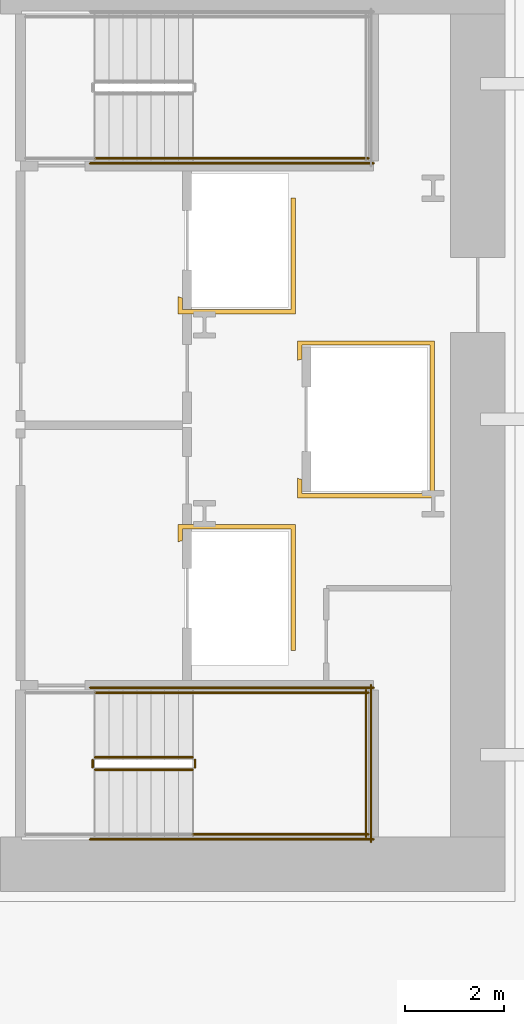
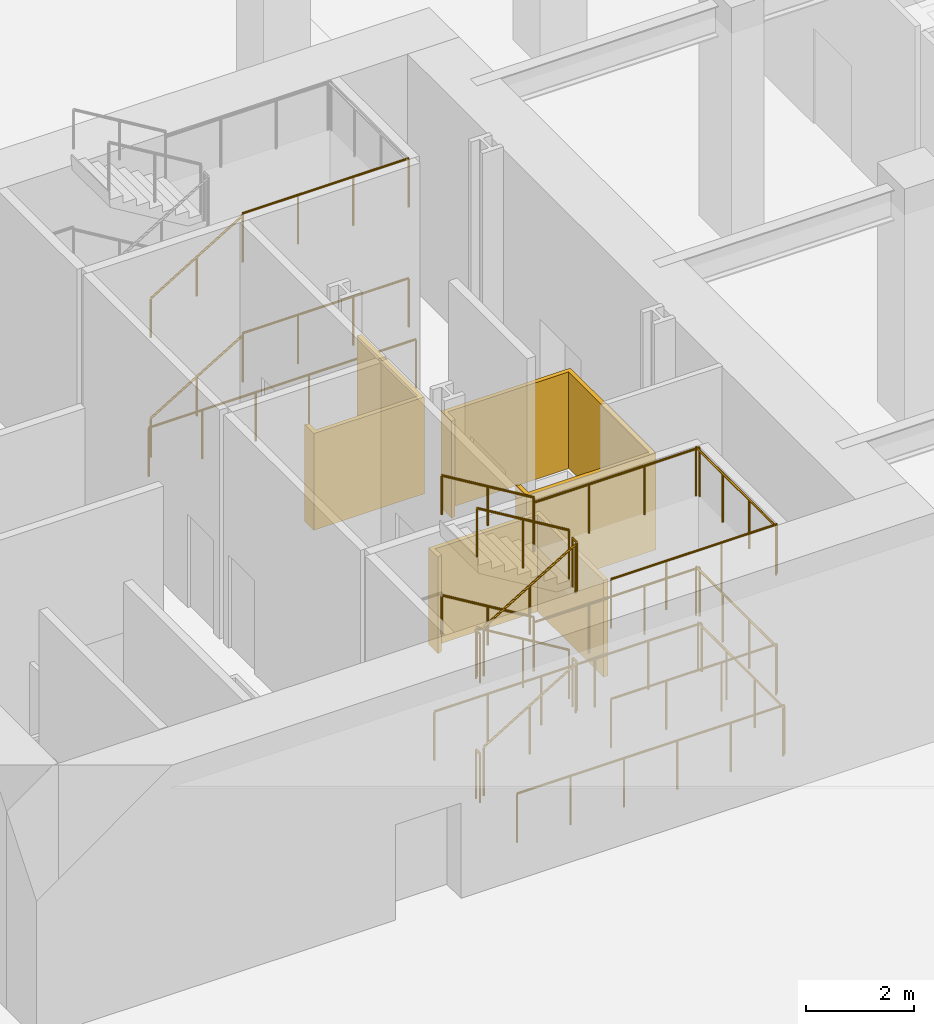
# One storey, part 13 of 18: 24 railings, 3 coverings.
"""IFC4 building model written with IfcOpenShell, lengths in metres."""

from ifc_helpers import new_model, si_unit, direction, frame, origin, origin_2d, place, context, subcontext, project, spatial, polyline, circle, outline, extrude, material, layer, layer_set, type_object, element, save


model = new_model("IFC4")

# Units and contexts
model_context = context("Model", 3, precision=1e-05, world=origin(), true_north=direction((0.0, 1.0)))
body_context = subcontext(model_context, "Body", "Model", "MODEL_VIEW")
ifc_project = project(units=[si_unit("LENGTHUNIT", "METRE"), si_unit("AREAUNIT", "SQUARE_METRE"), si_unit("VOLUMEUNIT", "CUBIC_METRE"), si_unit("PLANEANGLEUNIT", "RADIAN"), si_unit("MASSUNIT", "GRAM", prefix="KILO")], contexts=[model_context])

# Site, building, storey
site_placement = place(None, origin())
site = spatial("IfcSite", under=ifc_project, at=site_placement, CompositionType="ELEMENT")
building_placement = place(site_placement, origin())
building = spatial("IfcBuilding", under=site, at=building_placement, Name="Valkerne Bourse Tower", CompositionType="ELEMENT")
storey_placement = place(building_placement, origin())
storey = spatial("IfcBuildingStorey", under=building, at=storey_placement, Name="L00", CompositionType="ELEMENT", Elevation=0.0)

# Coverings
ifc_material_1 = material(Name="Gypsum Shaftwall Liner Board", Category="gypsum")
ifc_layer = layer(ifc_material_1, 0.080078125)
ifc_layer_set = layer_set([ifc_layer], Name="Gypsum Shaftwall Liner Board")
covering_type = type_object("IfcCoveringType", Name="COV-SHF-CLAD", PredefinedType="CLADDING", material=ifc_layer_set)
covering_1_placement = place(storey_placement, origin())
element("IfcCovering", 1, at=covering_1_placement, inside=storey, type_object=covering_type, Name="L00 Hoistway & Riser Shaftwall Liner 07", PredefinedType="CLADDING", context=body_context, shape_type="SweptSolid", body=[
    extrude(outline(polyline([(52.179931640625, 22.35009765625), (52.090087890625, 22.35009765625), (52.090087890625, 24.7900390625), (49.909912109375, 24.7900390625), (49.909912109375, 24.560791015625), (49.869384765625, 24.550537109375), (49.827880859375, 24.53564453125), (49.820068359375, 24.531982421875), (49.820068359375, 24.8798828125), (52.179931640625, 24.8798828125), (52.179931640625, 22.35009765625)])), origin(), (0.0, 0.0, 1.0), 2.179931640625),
])
covering_2_placement = place(storey_placement, origin())
element("IfcCovering", 2, at=covering_2_placement, inside=storey, type_object=covering_type, Name="L00 Hoistway & Riser Shaftwall Liner 08", PredefinedType="CLADDING", context=body_context, shape_type="SweptSolid", body=[
    extrude(outline(polyline([(54.97998046875, 25.419921875), (52.219970703125, 25.419921875), (52.219970703125, 25.81787109375), (52.227783203125, 25.814208984375), (52.269287109375, 25.79931640625), (52.31005859375, 25.789306640625), (52.31005859375, 25.510009765625), (54.889892578125, 25.510009765625), (54.889892578125, 28.489990234375), (52.31005859375, 28.489990234375), (52.31005859375, 28.210693359375), (52.269287109375, 28.20068359375), (52.227783203125, 28.185791015625), (52.219970703125, 28.18212890625), (52.219970703125, 28.580078125), (54.97998046875, 28.580078125), (54.97998046875, 25.419921875)])), origin(), (0.0, 0.0, 1.0), 2.179931640625),
])
covering_3_placement = place(storey_placement, origin())
element("IfcCovering", 3, at=covering_3_placement, inside=storey, type_object=covering_type, Name="L00 Hoistway & Riser Shaftwall Liner 10", PredefinedType="CLADDING", context=body_context, shape_type="SweptSolid", body=[
    extrude(outline(polyline([(49.820068359375, 29.1201171875), (49.820068359375, 29.468017578125), (49.827880859375, 29.46435546875), (49.869384765625, 29.449462890625), (49.909912109375, 29.439208984375), (49.909912109375, 29.2099609375), (52.090087890625, 29.2099609375), (52.090087890625, 31.449951171875), (52.179931640625, 31.449951171875), (52.179931640625, 29.1201171875), (49.820068359375, 29.1201171875)])), origin(), (0.0, 0.0, 1.0), 2.179931640625),
])

# Railings
ifc_material_2 = material(Name="Galvanised Painted Steel", Category="steel")
railing_type_1 = type_object("IfcRailingType", Name="RLG-ST-GUARD-1120", PredefinedType="GUARDRAIL", material=ifc_material_2)
railing_1_placement = place(storey_placement, frame((48.14990234375, 19.949951171875, 0.168701171875)))
element("IfcRailing", 4, at=railing_1_placement, inside=storey, type_object=railing_type_1, Name="L00 ST-1 stair guard 1", PredefinedType="GUARDRAIL", context=body_context, shape_type="SweptSolid", body=[
    extrude(circle(Radius=0.02392578125, at=origin_2d()), frame((0.0, 0.0, 1.09619140625), z_axis=(0.856474724393, 0.0, 0.516188963923), x_axis=(0.0, 1.0, 0.0)), (0.0, 0.0, 1.0), 2.28857421875),
    extrude(circle(Radius=0.02099609375, at=origin_2d()), origin(), (0.0, 0.0, 1.0), 1.072021484375),
    extrude(circle(Radius=0.02099609375, at=origin_2d()), frame((0.97998046875, 0.0, 0.5908203125)), (0.0, 0.0, 1.0), 1.072021484375),
    extrude(circle(Radius=0.02099609375, at=origin_2d()), frame((1.960205078125, 0.0, 1.181396484375)), (0.0, 0.0, 1.0), 1.072021484375),
])
railing_2_placement = place(storey_placement, frame((50.159912109375, 20.0, 1.35009765625)))
element("IfcRailing", 5, at=railing_2_placement, inside=storey, type_object=railing_type_1, Name="L00 ST-1 stair guard 2", PredefinedType="GUARDRAIL", context=body_context, shape_type="SweptSolid", body=[
    extrude(circle(Radius=0.02392578125, at=origin_2d()), frame((0.0, 0.0, 1.09619140625), z_axis=(0.0, 1.0, 0.0), x_axis=(-1.0, 0.0, 0.0)), (0.0, 0.0, 1.0), 0.14990234375),
    extrude(circle(Radius=0.02099609375, at=origin_2d()), origin(), (0.0, 0.0, 1.0), 1.072021484375),
    extrude(circle(Radius=0.02099609375, at=origin_2d()), frame((0.0, 0.14990234375, 0.0)), (0.0, 0.0, 1.0), 1.072021484375),
])
for number, where, name in (
    (6, (50.110107421875, 18.64990234375, 1.35009765625), "L00 ST-1 stair guard 3"),
    (7, (50.110107421875, 21.5, 1.35009765625), "L00 ST-1 stair guard 4"),
):
    element("IfcRailing", number, at=place(storey_placement, frame(where)), inside=storey, type_object=railing_type_1, Name=name, PredefinedType="GUARDRAIL", context=body_context, shape_type="SweptSolid", body=[
        extrude(circle(Radius=0.02392578125, at=origin_2d()), frame((0.0, 0.0, 1.09619140625), z_axis=(1.0, 0.0, 0.0), x_axis=(0.0, 1.0, 0.0)), (0.0, 0.0, 1.0), 3.539794921875),
        extrude(circle(Radius=0.02099609375, at=origin_2d()), origin(), (0.0, 0.0, 1.0), 1.072021484375),
        extrude(circle(Radius=0.02099609375, at=origin_2d()), frame((1.179931640625, 0.0, 0.0)), (0.0, 0.0, 1.0), 1.072021484375),
        extrude(circle(Radius=0.02099609375, at=origin_2d()), frame((2.35986328125, 0.0, 0.0)), (0.0, 0.0, 1.0), 1.072021484375),
        extrude(circle(Radius=0.02099609375, at=origin_2d()), frame((3.539794921875, 0.0, 0.0)), (0.0, 0.0, 1.0), 1.072021484375),
    ])
railing_3_placement = place(storey_placement, frame((53.60009765625, 18.60009765625, 1.35009765625)))
element("IfcRailing", 8, at=railing_3_placement, inside=storey, type_object=railing_type_1, Name="L00 ST-1 stair guard 5", PredefinedType="GUARDRAIL", context=body_context, shape_type="SweptSolid", body=[
    extrude(circle(Radius=0.02392578125, at=origin_2d()), frame((0.0, 0.0, 1.09619140625), z_axis=(0.0, 1.0, 0.0), x_axis=(-1.0, 0.0, 0.0)), (0.0, 0.0, 1.0), 2.949951171875),
    extrude(circle(Radius=0.02099609375, at=origin_2d()), origin(), (0.0, 0.0, 1.0), 1.072021484375),
    extrude(circle(Radius=0.02099609375, at=origin_2d()), frame((0.0, 0.9833984375, 0.0)), (0.0, 0.0, 1.0), 1.072021484375),
    extrude(circle(Radius=0.02099609375, at=origin_2d()), frame((0.0, 1.966552734375, 0.0)), (0.0, 0.0, 1.0), 1.072021484375),
    extrude(circle(Radius=0.02099609375, at=origin_2d()), frame((0.0, 2.949951171875, 0.0)), (0.0, 0.0, 1.0), 1.072021484375),
])
railing_4_placement = place(storey_placement, frame((50.110107421875, 20.199951171875, 1.518798828125)))
element("IfcRailing", 9, at=railing_4_placement, inside=storey, type_object=railing_type_1, Name="L00 ST-1 stair guard 6", PredefinedType="GUARDRAIL", context=body_context, shape_type="SweptSolid", body=[
    extrude(circle(Radius=0.02392578125, at=origin_2d()), frame((0.0, 0.0, 1.09619140625), z_axis=(-0.856521883693, 0.0, 0.516110707847), x_axis=(0.0, -1.0, 0.0)), (0.0, 0.0, 1.0), 2.28857421875),
    extrude(circle(Radius=0.02099609375, at=origin_2d()), origin(), (0.0, 0.0, 1.0), 1.072021484375),
    extrude(circle(Radius=0.02099609375, at=origin_2d()), frame((-0.97998046875, 0.0, 0.590576171875)), (0.0, 0.0, 1.0), 1.072021484375),
    extrude(circle(Radius=0.02099609375, at=origin_2d()), frame((-1.960205078125, 0.0, 1.18115234375)), (0.0, 0.0, 1.0), 1.072021484375),
])
railing_5_placement = place(storey_placement, frame((48.10009765625, 20.0, 2.699951171875)))
element("IfcRailing", 10, at=railing_5_placement, inside=storey, type_object=railing_type_1, Name="L00 ST-1 stair guard 7", PredefinedType="GUARDRAIL", context=body_context, shape_type="SweptSolid", body=[
    extrude(circle(Radius=0.02392578125, at=origin_2d()), frame((0.0, 0.0, 1.09619140625), z_axis=(0.0, 1.0, 0.0), x_axis=(-1.0, 0.0, 0.0)), (0.0, 0.0, 1.0), 0.14990234375),
    extrude(circle(Radius=0.02099609375, at=origin_2d()), origin(), (0.0, 0.0, 1.0), 1.072021484375),
    extrude(circle(Radius=0.02099609375, at=origin_2d()), frame((0.0, 0.14990234375, 0.0)), (0.0, 0.0, 1.0), 1.072021484375),
])
railing_6_placement = place(storey_placement, frame((48.14990234375, 19.949951171875, 2.86865234375)))
element("IfcRailing", 11, at=railing_6_placement, inside=storey, type_object=railing_type_1, Name="L00 ST-1 stair guard 10", PredefinedType="GUARDRAIL", context=body_context, shape_type="SweptSolid", body=[
    extrude(circle(Radius=0.02392578125, at=origin_2d()), frame((0.0, 0.0, 1.09619140625), z_axis=(0.856474724393, 0.0, 0.516188963923), x_axis=(0.0, 1.0, 0.0)), (0.0, 0.0, 1.0), 2.28857421875),
    extrude(circle(Radius=0.02099609375, at=origin_2d()), origin(), (0.0, 0.0, 1.0), 1.072021484375),
    extrude(circle(Radius=0.02099609375, at=origin_2d()), frame((0.97998046875, 0.0, 0.5908203125)), (0.0, 0.0, 1.0), 1.072021484375),
    extrude(circle(Radius=0.02099609375, at=origin_2d()), frame((1.960205078125, 0.0, 1.181396484375)), (0.0, 0.0, 1.0), 1.072021484375),
])
railing_7_placement = place(storey_placement, frame((50.159912109375, 20.0, 4.050048828125)))
element("IfcRailing", 12, at=railing_7_placement, inside=storey, type_object=railing_type_1, Name="L00 ST-1 stair guard 11", PredefinedType="GUARDRAIL", context=body_context, shape_type="SweptSolid", body=[
    extrude(circle(Radius=0.02392578125, at=origin_2d()), frame((0.0, 0.0, 1.09619140625), z_axis=(0.0, 1.0, 0.0), x_axis=(-1.0, 0.0, 0.0)), (0.0, 0.0, 1.0), 0.14990234375),
    extrude(circle(Radius=0.02099609375, at=origin_2d()), origin(), (0.0, 0.0, 1.0), 1.072021484375),
    extrude(circle(Radius=0.02099609375, at=origin_2d()), frame((0.0, 0.14990234375, 0.0)), (0.0, 0.0, 1.0), 1.072021484375),
])
for number, where, name in (
    (13, (50.110107421875, 18.64990234375, 4.050048828125), "L00 ST-1 stair guard 12"),
    (14, (50.110107421875, 21.5, 4.050048828125), "L00 ST-1 stair guard 13"),
):
    element("IfcRailing", number, at=place(storey_placement, frame(where)), inside=storey, type_object=railing_type_1, Name=name, PredefinedType="GUARDRAIL", context=body_context, shape_type="SweptSolid", body=[
        extrude(circle(Radius=0.02392578125, at=origin_2d()), frame((0.0, 0.0, 1.09619140625), z_axis=(1.0, 0.0, 0.0), x_axis=(0.0, 1.0, 0.0)), (0.0, 0.0, 1.0), 3.539794921875),
        extrude(circle(Radius=0.02099609375, at=origin_2d()), origin(), (0.0, 0.0, 1.0), 1.072021484375),
        extrude(circle(Radius=0.02099609375, at=origin_2d()), frame((1.179931640625, 0.0, 0.0)), (0.0, 0.0, 1.0), 1.072021484375),
        extrude(circle(Radius=0.02099609375, at=origin_2d()), frame((2.35986328125, 0.0, 0.0)), (0.0, 0.0, 1.0), 1.072021484375),
        extrude(circle(Radius=0.02099609375, at=origin_2d()), frame((3.539794921875, 0.0, 0.0)), (0.0, 0.0, 1.0), 1.072021484375),
    ])
railing_8_placement = place(storey_placement, frame((53.60009765625, 18.60009765625, 4.050048828125)))
element("IfcRailing", 15, at=railing_8_placement, inside=storey, type_object=railing_type_1, Name="L00 ST-1 stair guard 14", PredefinedType="GUARDRAIL", context=body_context, shape_type="SweptSolid", body=[
    extrude(circle(Radius=0.02392578125, at=origin_2d()), frame((0.0, 0.0, 1.09619140625), z_axis=(0.0, 1.0, 0.0), x_axis=(-1.0, 0.0, 0.0)), (0.0, 0.0, 1.0), 2.949951171875),
    extrude(circle(Radius=0.02099609375, at=origin_2d()), origin(), (0.0, 0.0, 1.0), 1.072021484375),
    extrude(circle(Radius=0.02099609375, at=origin_2d()), frame((0.0, 0.9833984375, 0.0)), (0.0, 0.0, 1.0), 1.072021484375),
    extrude(circle(Radius=0.02099609375, at=origin_2d()), frame((0.0, 1.966552734375, 0.0)), (0.0, 0.0, 1.0), 1.072021484375),
    extrude(circle(Radius=0.02099609375, at=origin_2d()), frame((0.0, 2.949951171875, 0.0)), (0.0, 0.0, 1.0), 1.072021484375),
])
railing_9_placement = place(storey_placement, frame((50.110107421875, 20.199951171875, 4.21875)))
element("IfcRailing", 16, at=railing_9_placement, inside=storey, type_object=railing_type_1, Name="L00 ST-1 stair guard 15", PredefinedType="GUARDRAIL", context=body_context, shape_type="SweptSolid", body=[
    extrude(circle(Radius=0.02392578125, at=origin_2d()), frame((0.0, 0.0, 1.09619140625), z_axis=(-0.856521883693, 0.0, 0.516110707847), x_axis=(0.0, -1.0, 0.0)), (0.0, 0.0, 1.0), 2.28857421875),
    extrude(circle(Radius=0.02099609375, at=origin_2d()), origin(), (0.0, 0.0, 1.0), 1.072021484375),
    extrude(circle(Radius=0.02099609375, at=origin_2d()), frame((-0.97998046875, 0.0, 0.590576171875)), (0.0, 0.0, 1.0), 1.072021484375),
    extrude(circle(Radius=0.02099609375, at=origin_2d()), frame((-1.960205078125, 0.0, 1.18115234375)), (0.0, 0.0, 1.0), 1.072021484375),
])
railing_10_placement = place(storey_placement, frame((48.10009765625, 20.0, 0.0)))
element("IfcRailing", 17, at=railing_10_placement, inside=storey, type_object=railing_type_1, Name="L00 ST-1 stair guard 16", PredefinedType="GUARDRAIL", context=body_context, shape_type="SweptSolid", body=[
    extrude(circle(Radius=0.02392578125, at=origin_2d()), frame((0.0, 0.0, 1.09619140625), z_axis=(0.0, 1.0, 0.0), x_axis=(-1.0, 0.0, 0.0)), (0.0, 0.0, 1.0), 0.14990234375),
    extrude(circle(Radius=0.02099609375, at=origin_2d()), origin(), (0.0, 0.0, 1.0), 1.072021484375),
    extrude(circle(Radius=0.02099609375, at=origin_2d()), frame((0.0, 0.14990234375, 0.0)), (0.0, 0.0, 1.0), 1.072021484375),
])
for number, where, name in (
    (18, (48.050048828125, 18.550048828125, 0.0), "L00 ST-1 stair guard 19"),
    (19, (48.050048828125, 21.60009765625, 0.0), "L00 ST-1 stair guard 20"),
):
    element("IfcRailing", number, at=place(storey_placement, frame(where)), inside=storey, type_object=railing_type_1, Name=name, PredefinedType="GUARDRAIL", context=body_context, shape_type="SweptSolid", body=[
        extrude(circle(Radius=0.02392578125, at=origin_2d()), frame((0.0, 0.0, 1.09619140625), z_axis=(1.0, 0.0, 0.0), x_axis=(0.0, 1.0, 0.0)), (0.0, 0.0, 1.0), 5.699951171875),
        extrude(circle(Radius=0.02099609375, at=origin_2d()), origin(), (0.0, 0.0, 1.0), 1.072021484375),
        extrude(circle(Radius=0.02099609375, at=origin_2d()), frame((1.139892578125, 0.0, 0.0)), (0.0, 0.0, 1.0), 1.072021484375),
        extrude(circle(Radius=0.02099609375, at=origin_2d()), frame((2.280029296875, 0.0, 0.0)), (0.0, 0.0, 1.0), 1.072021484375),
        extrude(circle(Radius=0.02099609375, at=origin_2d()), frame((3.419921875, 0.0, 0.0)), (0.0, 0.0, 1.0), 1.072021484375),
        extrude(circle(Radius=0.02099609375, at=origin_2d()), frame((4.56005859375, 0.0, 0.0)), (0.0, 0.0, 1.0), 1.072021484375),
        extrude(circle(Radius=0.02099609375, at=origin_2d()), frame((5.699951171875, 0.0, 0.0)), (0.0, 0.0, 1.0), 1.072021484375),
    ])
railing_11_placement = place(storey_placement, frame((53.699951171875, 18.5, 0.0)))
element("IfcRailing", 20, at=railing_11_placement, inside=storey, type_object=railing_type_1, Name="L00 ST-1 stair guard 21", PredefinedType="GUARDRAIL", context=body_context, shape_type="SweptSolid", body=[
    extrude(circle(Radius=0.02392578125, at=origin_2d()), frame((0.0, 0.0, 1.09619140625), z_axis=(0.0, 1.0, 0.0), x_axis=(-1.0, 0.0, 0.0)), (0.0, 0.0, 1.0), 3.14990234375),
    extrude(circle(Radius=0.02099609375, at=origin_2d()), origin(), (0.0, 0.0, 1.0), 1.072021484375),
    extrude(circle(Radius=0.02099609375, at=origin_2d()), frame((0.0, 1.050048828125, 0.0)), (0.0, 0.0, 1.0), 1.072021484375),
    extrude(circle(Radius=0.02099609375, at=origin_2d()), frame((0.0, 2.099853515625, 0.0)), (0.0, 0.0, 1.0), 1.072021484375),
    extrude(circle(Radius=0.02099609375, at=origin_2d()), frame((0.0, 3.14990234375, 0.0)), (0.0, 0.0, 1.0), 1.072021484375),
])
for number, where, name in (
    (21, (50.110107421875, 32.25, 1.35009765625), "L00 ST-2 stair guard 3"),
    (22, (50.110107421875, 32.25, 4.050048828125), "L00 ST-2 stair guard 12"),
):
    element("IfcRailing", number, at=place(storey_placement, frame(where)), inside=storey, type_object=railing_type_1, Name=name, PredefinedType="GUARDRAIL", context=body_context, shape_type="SweptSolid", body=[
        extrude(circle(Radius=0.02392578125, at=origin_2d()), frame((0.0, 0.0, 1.09619140625), z_axis=(1.0, 0.0, 0.0), x_axis=(0.0, 1.0, 0.0)), (0.0, 0.0, 1.0), 3.539794921875),
        extrude(circle(Radius=0.02099609375, at=origin_2d()), origin(), (0.0, 0.0, 1.0), 1.072021484375),
        extrude(circle(Radius=0.02099609375, at=origin_2d()), frame((1.179931640625, 0.0, 0.0)), (0.0, 0.0, 1.0), 1.072021484375),
        extrude(circle(Radius=0.02099609375, at=origin_2d()), frame((2.35986328125, 0.0, 0.0)), (0.0, 0.0, 1.0), 1.072021484375),
        extrude(circle(Radius=0.02099609375, at=origin_2d()), frame((3.539794921875, 0.0, 0.0)), (0.0, 0.0, 1.0), 1.072021484375),
    ])
railing_12_placement = place(storey_placement, frame((48.050048828125, 32.14990234375, 0.0)))
element("IfcRailing", 23, at=railing_12_placement, inside=storey, type_object=railing_type_1, Name="L00 ST-2 stair guard 19", PredefinedType="GUARDRAIL", context=body_context, shape_type="SweptSolid", body=[
    extrude(circle(Radius=0.02392578125, at=origin_2d()), frame((0.0, 0.0, 1.09619140625), z_axis=(1.0, 0.0, 0.0), x_axis=(0.0, 1.0, 0.0)), (0.0, 0.0, 1.0), 5.699951171875),
    extrude(circle(Radius=0.02099609375, at=origin_2d()), origin(), (0.0, 0.0, 1.0), 1.072021484375),
    extrude(circle(Radius=0.02099609375, at=origin_2d()), frame((1.139892578125, 0.0, 0.0)), (0.0, 0.0, 1.0), 1.072021484375),
    extrude(circle(Radius=0.02099609375, at=origin_2d()), frame((2.280029296875, 0.0, 0.0)), (0.0, 0.0, 1.0), 1.072021484375),
    extrude(circle(Radius=0.02099609375, at=origin_2d()), frame((3.419921875, 0.0, 0.0)), (0.0, 0.0, 1.0), 1.072021484375),
    extrude(circle(Radius=0.02099609375, at=origin_2d()), frame((4.56005859375, 0.0, 0.0)), (0.0, 0.0, 1.0), 1.072021484375),
    extrude(circle(Radius=0.02099609375, at=origin_2d()), frame((5.699951171875, 0.0, 0.0)), (0.0, 0.0, 1.0), 1.072021484375),
])
ifc_material_3 = material(Name="Stainless Steel AISI 316", Category="steel")
railing_type_2 = type_object("IfcRailingType", Name="RLG-ST-HANDRAIL-900", PredefinedType="HANDRAIL", material=ifc_material_3)
railing_13_placement = place(storey_placement, frame((50.110107421875, 21.5, 1.6875)))
element("IfcRailing", 24, at=railing_13_placement, inside=storey, type_object=railing_type_2, Name="L00 ST-1 stair handrail 2", PredefinedType="HANDRAIL", context=body_context, shape_type="SweptSolid", body=[
    extrude(circle(Radius=0.02392578125, at=origin_2d()), frame((0.0, 0.0, 0.8759765625), z_axis=(-0.856521883693, 0.0, 0.516110707847), x_axis=(0.0, -1.0, 0.0)), (0.0, 0.0, 1.0), 2.28857421875),
    extrude(circle(Radius=0.02099609375, at=origin_2d()), origin(), (0.0, 0.0, 1.0), 0.851806640625),
    extrude(circle(Radius=0.02099609375, at=origin_2d()), frame((-0.97998046875, 0.0, 0.590576171875)), (0.0, 0.0, 1.0), 0.851806640625),
    extrude(circle(Radius=0.02099609375, at=origin_2d()), frame((-1.960205078125, 0.0, 1.18115234375)), (0.0, 0.0, 1.0), 0.851806640625),
])
railing_14_placement = place(storey_placement, frame((50.110107421875, 21.5, 4.387451171875)))
element("IfcRailing", 25, at=railing_14_placement, inside=storey, type_object=railing_type_2, Name="L00 ST-1 stair handrail 4", PredefinedType="HANDRAIL", context=body_context, shape_type="SweptSolid", body=[
    extrude(circle(Radius=0.02392578125, at=origin_2d()), frame((0.0, 0.0, 0.8759765625), z_axis=(-0.856474724393, 0.0, 0.516188963923), x_axis=(0.0, -1.0, 0.0)), (0.0, 0.0, 1.0), 2.28857421875),
    extrude(circle(Radius=0.02099609375, at=origin_2d()), origin(), (0.0, 0.0, 1.0), 0.851806640625),
    extrude(circle(Radius=0.02099609375, at=origin_2d()), frame((-0.97998046875, 0.0, 0.5908203125)), (0.0, 0.0, 1.0), 0.851806640625),
    extrude(circle(Radius=0.02099609375, at=origin_2d()), frame((-1.960205078125, 0.0, 1.181396484375)), (0.0, 0.0, 1.0), 0.851806640625),
])
railing_15_placement = place(storey_placement, frame((48.14990234375, 32.25, 0.33740234375)))
element("IfcRailing", 26, at=railing_15_placement, inside=storey, type_object=railing_type_2, Name="L00 ST-2 stair handrail 1", PredefinedType="HANDRAIL", context=body_context, shape_type="SweptSolid", body=[
    extrude(circle(Radius=0.02392578125, at=origin_2d()), frame((0.0, 0.0, 0.8759765625), z_axis=(0.856474724393, 0.0, 0.516188963923), x_axis=(0.0, 1.0, 0.0)), (0.0, 0.0, 1.0), 2.28857421875),
    extrude(circle(Radius=0.02099609375, at=origin_2d()), origin(), (0.0, 0.0, 1.0), 0.851806640625),
    extrude(circle(Radius=0.02099609375, at=origin_2d()), frame((0.97998046875, 0.0, 0.5908203125)), (0.0, 0.0, 1.0), 0.851806640625),
    extrude(circle(Radius=0.02099609375, at=origin_2d()), frame((1.960205078125, 0.0, 1.181396484375)), (0.0, 0.0, 1.0), 0.851806640625),
])
railing_16_placement = place(storey_placement, frame((48.14990234375, 32.25, 3.03759765625)))
element("IfcRailing", 27, at=railing_16_placement, inside=storey, type_object=railing_type_2, Name="L00 ST-2 stair handrail 3", PredefinedType="HANDRAIL", context=body_context, shape_type="SweptSolid", body=[
    extrude(circle(Radius=0.02392578125, at=origin_2d()), frame((0.0, 0.0, 0.8759765625), z_axis=(0.856521883693, 0.0, 0.516110707847), x_axis=(0.0, 1.0, 0.0)), (0.0, 0.0, 1.0), 2.28857421875),
    extrude(circle(Radius=0.02099609375, at=origin_2d()), origin(), (0.0, 0.0, 1.0), 0.851806640625),
    extrude(circle(Radius=0.02099609375, at=origin_2d()), frame((0.97998046875, 0.0, 0.590576171875)), (0.0, 0.0, 1.0), 0.851806640625),
    extrude(circle(Radius=0.02099609375, at=origin_2d()), frame((1.960205078125, 0.0, 1.18115234375)), (0.0, 0.0, 1.0), 0.851806640625),
])

save(model, "model.ifc")
